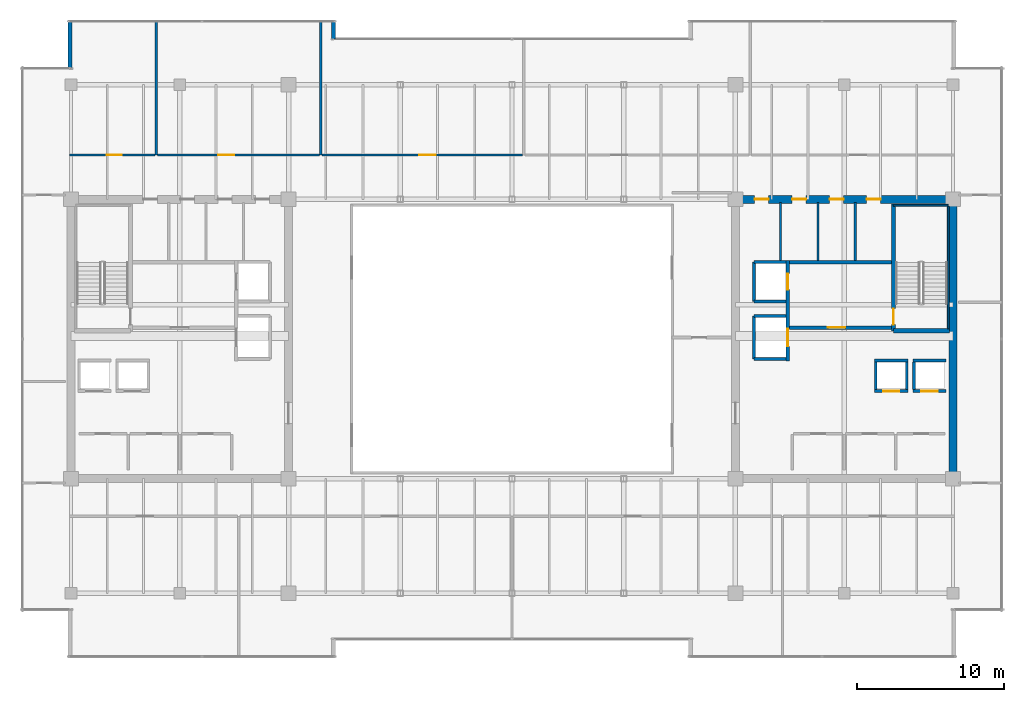
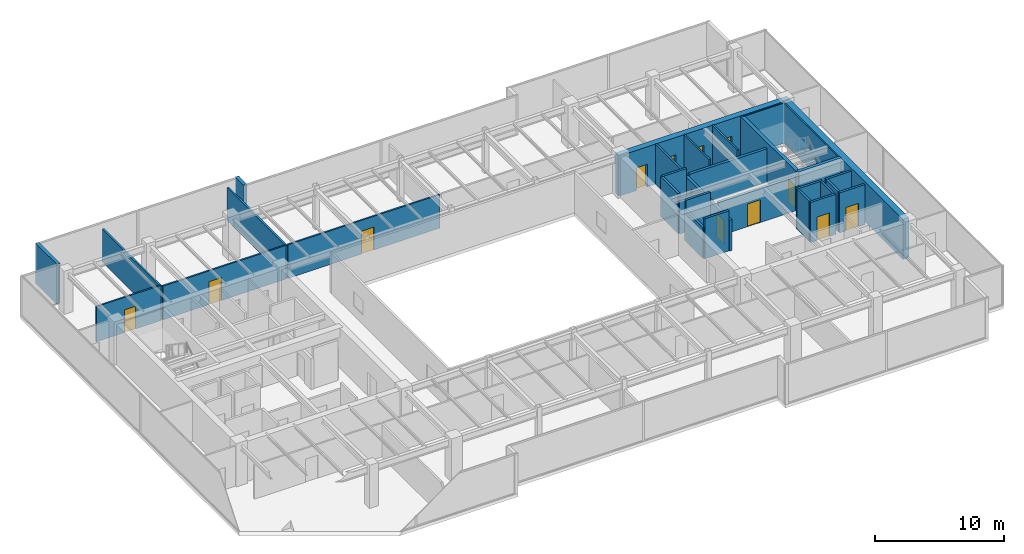
# One storey, part 30 of 33: 32 walls, 13 doors, 13 openings.
"""IFC4 building model written with IfcOpenShell, lengths in metres."""

from ifc_helpers import new_model, si_unit, direction, frame, frame_2d, origin, place, context, subcontext, project, spatial, rectangle, extrude, source, transform, mapped, material, layer, layer_set, type_object, type_shapes, element, fill, save


model = new_model("IFC4")

# Units and contexts
model_context = context("Model", 3, precision=1e-05, world=origin(), true_north=direction((0.0, 1.0)))
body_context = subcontext(model_context, "Body", "Model", "MODEL_VIEW")
ifc_project = project(units=[si_unit("LENGTHUNIT", "METRE"), si_unit("AREAUNIT", "SQUARE_METRE"), si_unit("VOLUMEUNIT", "CUBIC_METRE"), si_unit("PLANEANGLEUNIT", "RADIAN"), si_unit("MASSUNIT", "GRAM", prefix="KILO")], contexts=[model_context])

# Site, building, storey
site_placement = place(None, origin())
site = spatial("IfcSite", under=ifc_project, at=site_placement, CompositionType="ELEMENT")
building_placement = place(site_placement, origin())
building = spatial("IfcBuilding", under=site, at=building_placement, Name="Haelvirn Gate Laboratories", CompositionType="ELEMENT")
storey_placement = place(building_placement, frame((0.0, 0.0, 258.800048828125)))
storey = spatial("IfcBuildingStorey", under=building, at=storey_placement, Name="L62", CompositionType="ELEMENT", Elevation=258.800048828125)

# Walls
ifc_material_1 = material(Name="Thermally-broken bronze aluminium rainscreen & mineral wool", Category="aluminium")
ifc_layer_1 = layer(ifc_material_1, 0.280029296875, Name="EW-TERR-280")
ifc_layer_set_1 = layer_set([ifc_layer_1], Name="Thermally-broken bronze aluminium rainscreen & mineral wool")
wall_type_1 = type_object("IfcWallType", Name="EW-TERR-280", PredefinedType="STANDARD", material=ifc_layer_set_1)
wall_1_placement = place(storey_placement, frame((25.260009765625, 44.70703125, 0.0), z_axis=(0.0, 0.0, 1.0), x_axis=(0.0, 1.0, 0.0)))
element("IfcWall", 1, at=wall_1_placement, inside=storey, type_object=wall_type_1, Name="L62 Atrium Recess Bronze Return Wall 13", PredefinedType="STANDARD", context=body_context, shape_type="SweptSolid", body=[
    extrude(rectangle(XDim=1.29296875, YDim=0.280029296875, at=frame_2d((0.646484375, 0.0))), origin(), (0.0, 0.0, 1.0), 3.800048828125),
])
wall_2_placement = place(storey_placement, frame((7.340087890625, 46.0, 0.0), z_axis=(0.0, 0.0, 1.0), x_axis=(0.0, -1.0, 0.0)))
element("IfcWall", 2, at=wall_2_placement, inside=storey, type_object=wall_type_1, Name="L62 Atrium Recess Bronze Return Wall 15", PredefinedType="STANDARD", context=body_context, shape_type="SweptSolid", body=[
    extrude(rectangle(XDim=3.2880859375, YDim=0.280029296875, at=frame_2d((1.64404296875, 0.0))), origin(), (0.0, 0.0, 1.0), 3.800048828125),
])
ifc_material_2 = material(Name="Double-layer acoustic gypsum laboratory partition", Category="gypsum")
ifc_layer_2 = layer(ifc_material_2, 0.159912109375, Name="IW-ACOUST-160")
ifc_layer_set_2 = layer_set([ifc_layer_2], Name="Double-layer acoustic gypsum laboratory partition")
wall_type_2 = type_object("IfcWallType", Name="IW-ACOUST-160", PredefinedType="PARTITIONING", material=ifc_layer_set_2)
for number, where, z_axis, x_axis, name in (
    (3, (13.199951171875, 36.81005859375, 0.0), (0.0, 0.0, 1.0), (0.0, 1.0, 0.0), "L62 Interior Wall IW-L62-NDIV-01"),
    (4, (24.39990234375, 36.81005859375, 0.0), (0.0, 0.0, 1.0), (0.0, 1.0, 0.0), "L62 Interior Wall IW-L62-NDIV-02"),
):
    element("IfcWall", number, at=place(storey_placement, frame(where, z_axis=z_axis, x_axis=x_axis)), inside=storey, type_object=wall_type_2, Name=name, PredefinedType="PARTITIONING", context=body_context, shape_type="SweptSolid", body=[
        extrude(rectangle(XDim=9.079833984375, YDim=0.159912109375, at=frame_2d((4.5400390625, 0.0))), origin(), (0.0, 0.0, 1.0), 3.135009765625),
    ])

# Wall, opening, door
ifc_material_3 = material(Name="Acoustic mineral-wool gypsum board partition", Category="gypsum")
ifc_layer_3 = layer(ifc_material_3, 0.139892578125, Name="IW-PART-140")
ifc_layer_set_3 = layer_set([ifc_layer_3], Name="Acoustic mineral-wool gypsum board partition")
wall_type_3 = type_object("IfcWallType", Name="IW-PART-140", PredefinedType="PARTITIONING", material=ifc_layer_set_3)
wall_3_placement = place(storey_placement, frame((7.31005859375, 36.81005859375, 0.0), z_axis=(0.0, 0.0, 1.0), x_axis=(1.0, 0.0, 0.0)))
wall_3 = element("IfcWall", 5, at=wall_3_placement, inside=storey, type_object=wall_type_3, Name="L62 Interior Wall IW-L62-NCORR-01", PredefinedType="PARTITIONING", context=body_context, shape_type="SweptSolid", body=[
    extrude(rectangle(XDim=5.81005859375, YDim=0.139892578125, at=frame_2d((2.905029296875, 0.0))), origin(), (0.0, 0.0, 1.0), 3.3349609375),
])
opening_1_placement = place(wall_3_placement, frame((2.5283203125, 0.0, 0.0)))
opening_1 = element("IfcOpeningElement", 6, at=opening_1_placement, cuts=wall_3, Name="Opening D2", PredefinedType="OPENING", context=body_context, shape_type="SweptSolid", body=[
    extrude(rectangle(XDim=1.0, YDim=2.14990234375, at=frame_2d((0.5, 1.074951171875))), frame((0.0, 0.080078125, 0.0), z_axis=(0.0, -1.0, 0.0), x_axis=(1.0, 0.0, 0.0)), (0.0, 0.0, 1.0), 0.159912109375),
])
ifc_material_4 = material(Name="Acoustic solid-core timber suite door", Category="wood")
door_type_1 = type_object("IfcDoorType", Name="DR-INT-1000", OperationType="NOTDEFINED", PredefinedType="DOOR", material=ifc_material_4)
shared_shape_1 = source(origin(), body_context, "Body", "SweptSolid", [
    extrude(rectangle(XDim=1.0, YDim=2.14990234375, at=frame_2d((0.5, 1.074951171875))), frame((0.0, 0.02490234375, 0.0), z_axis=(0.0, -1.0, 0.0), x_axis=(1.0, 0.0, 0.0)), (0.0, 0.0, 1.0), 0.050048828125),
])
type_shapes(door_type_1, [shared_shape_1])
door_1_placement = place(opening_1_placement, origin())
door_1 = element("IfcDoor", 7, at=door_1_placement, inside=storey, type_object=door_type_1, Name="L62 Translational Data Office Door N1", OperationType="SINGLE_SWING_RIGHT", OverallHeight=2.14990234375, OverallWidth=1.0, PredefinedType="DOOR", context=body_context, shape_type="MappedRepresentation", body=[
    mapped(shared_shape_1, transform((0.0, 0.0, 0.0), scale=1.0)),
])
fill(opening_1, door_1)

wall_4_placement = place(storey_placement, frame((13.280029296875, 36.81005859375, 0.0), z_axis=(0.0, 0.0, 1.0), x_axis=(1.0, 0.0, 0.0)))
wall_4 = element("IfcWall", 8, at=wall_4_placement, inside=storey, type_object=wall_type_3, Name="L62 Interior Wall IW-L62-NCORR-02", PredefinedType="PARTITIONING", context=body_context, shape_type="SweptSolid", body=[
    extrude(rectangle(XDim=11.0400390625, YDim=0.139892578125, at=frame_2d((5.52001953125, 0.0))), origin(), (0.0, 0.0, 1.0), 3.197021484375),
])
opening_2_placement = place(wall_4_placement, frame((4.138427734375, 0.0, 0.0)))
opening_2 = element("IfcOpeningElement", 9, at=opening_2_placement, cuts=wall_4, Name="Opening D1", PredefinedType="OPENING", context=body_context, shape_type="SweptSolid", body=[
    extrude(rectangle(XDim=1.10009765625, YDim=2.179931640625, at=frame_2d((0.550048828125, 1.08984375))), frame((0.0, 0.080078125, 0.0), z_axis=(0.0, -1.0, 0.0), x_axis=(1.0, 0.0, 0.0)), (0.0, 0.0, 1.0), 0.159912109375),
])
ifc_material_5 = material(Name="Vision-panel acoustic solid-core timber lab door", Category="wood")
door_type_2 = type_object("IfcDoorType", Name="DR-LAB-1100", OperationType="NOTDEFINED", PredefinedType="DOOR", material=ifc_material_5)
shared_shape_2 = source(origin(), body_context, "Body", "SweptSolid", [
    extrude(rectangle(XDim=1.10009765625, YDim=2.179931640625, at=frame_2d((0.550048828125, 1.08984375))), frame((0.0, 0.02490234375, 0.0), z_axis=(0.0, -1.0, 0.0), x_axis=(1.0, 0.0, 0.0)), (0.0, 0.0, 1.0), 0.050048828125),
])
type_shapes(door_type_2, [shared_shape_2])
door_2_placement = place(opening_2_placement, origin())
door_2 = element("IfcDoor", 10, at=door_2_placement, inside=storey, type_object=door_type_2, Name="L62 Computational Write-Up Office Door N2", OperationType="SINGLE_SWING_LEFT", OverallHeight=2.179931640625, OverallWidth=1.10009765625, PredefinedType="DOOR", context=body_context, shape_type="MappedRepresentation", body=[
    mapped(shared_shape_2, transform((0.0, 0.0, 0.0), scale=1.0)),
])
fill(opening_2, door_2)

wall_5_placement = place(storey_placement, frame((24.47998046875, 36.81005859375, 0.0), z_axis=(0.0, 0.0, 1.0), x_axis=(1.0, 0.0, 0.0)))
wall_5 = element("IfcWall", 11, at=wall_5_placement, inside=storey, type_object=wall_type_3, Name="L62 Interior Wall IW-L62-NCORR-03", PredefinedType="PARTITIONING", context=body_context, shape_type="SweptSolid", body=[
    extrude(rectangle(XDim=13.64013671875, YDim=0.139892578125, at=frame_2d((6.820068359375, 0.0))), origin(), (0.0, 0.0, 1.0), 3.197021484375),
])
opening_3_placement = place(wall_5_placement, frame((6.625244140625, 0.0, 0.0)))
opening_3 = element("IfcOpeningElement", 12, at=opening_3_placement, cuts=wall_5, Name="Opening D1", PredefinedType="OPENING", context=body_context, shape_type="SweptSolid", body=[
    extrude(rectangle(XDim=1.10009765625, YDim=2.179931640625, at=frame_2d((0.550048828125, 1.08984375))), frame((0.0, 0.080078125, 0.0), z_axis=(0.0, -1.0, 0.0), x_axis=(1.0, 0.0, 0.0)), (0.0, 0.0, 1.0), 0.159912109375),
])
door_3_placement = place(opening_3_placement, origin())
door_3 = element("IfcDoor", 13, at=door_3_placement, inside=storey, type_object=door_type_2, Name="L62 Colloquium Conference Room Door N3", OperationType="SINGLE_SWING_RIGHT", OverallHeight=2.179931640625, OverallWidth=1.10009765625, PredefinedType="DOOR", context=body_context, shape_type="MappedRepresentation", body=[
    mapped(shared_shape_2, transform((0.0, 0.0, 0.0), scale=1.0)),
])
fill(opening_3, door_3)

# Walls
ifc_material_6 = material(Name="Cement-board restroom plumbing chase wall", Category="gypsum")
ifc_layer_4 = layer(ifc_material_6, 0.155029296875, Name="IW-PLUMB-160")
ifc_layer_set_4 = layer_set([ifc_layer_4], Name="Cement-board restroom plumbing chase wall")
wall_type_4 = type_object("IfcWallType", Name="IW-PLUMB-160", PredefinedType="PLUMBINGWALL", material=ifc_layer_set_4)
for number, where, z_axis, x_axis, name in (
    (14, (60.760009765625, 29.64990234375, 0.0), (0.0, 0.0, 1.0), (0.0, 1.0, 0.0), "L62 Interior Wall IW-L62-E-CDIV-1"),
    (15, (58.2099609375, 29.64990234375, 0.0), (0.0, 0.0, 1.0), (0.0, 1.0, 0.0), "L62 Interior Wall IW-L62-E-CDIV-2"),
    (16, (55.659912109375, 29.64990234375, 0.0), (0.0, 0.0, 1.0), (0.0, 1.0, 0.0), "L62 Interior Wall IW-L62-E-CDIV-3"),
):
    element("IfcWall", number, at=place(storey_placement, frame(where, z_axis=z_axis, x_axis=x_axis)), inside=storey, type_object=wall_type_4, Name=name, PredefinedType="PLUMBINGWALL", context=body_context, shape_type="SweptSolid", body=[
        extrude(rectangle(XDim=3.93017578125, YDim=0.155029296875, at=frame_2d((1.965087890625, 0.0))), origin(), (0.0, 0.0, 1.0), 3.800048828125),
    ])
ifc_material_7 = material(Name="Concrete C40/50", Category="concrete")
ifc_layer_5 = layer(ifc_material_7, 0.179931640625, Name="IW-SHAFT-180")
ifc_layer_set_5 = layer_set([ifc_layer_5], Name="Concrete C40/50")
wall_type_5 = type_object("IfcWallType", Name="IW-SHAFT-180", PredefinedType="SOLIDWALL", material=ifc_layer_set_5)
for number, where, z_axis, x_axis, name in (
    (17, (64.75, 20.85009765625, 0.0), (0.0, 0.0, 1.0), (0.0, 1.0, 0.0), "L62 Interior Wall IW-L62-PL11-SD"),
    (18, (62.14990234375, 20.85009765625, 0.0), (0.0, 0.0, 1.0), (0.0, 1.0, 0.0), "L62 Interior Wall IW-L62-PL12-SD"),
    (19, (64.25, 20.85009765625, 0.0), (0.0, 0.0, 1.0), (0.0, 1.0, 0.0), "L62 Interior Wall IW-L62-PL12-SDE"),
):
    element("IfcWall", number, at=place(storey_placement, frame(where, z_axis=z_axis, x_axis=x_axis)), inside=storey, type_object=wall_type_5, Name=name, PredefinedType="SOLIDWALL", context=body_context, shape_type="SweptSolid", body=[
        extrude(rectangle(XDim=1.89990234375, YDim=0.179931640625, at=frame_2d((0.949951171875, 0.0))), origin(), (0.0, 0.0, 1.0), 3.800048828125),
    ])

# Wall, opening, door
ifc_layer_6 = layer(ifc_material_7, 0.199951171875, Name="IW-SHAFT-200")
ifc_layer_set_6 = layer_set([ifc_layer_6], Name="Concrete C40/50")
wall_type_6 = type_object("IfcWallType", Name="IW-SHAFT-200", PredefinedType="SOLIDWALL", material=ifc_layer_set_6)
wall_6_placement = place(storey_placement, frame((64.669921875, 20.75, 0.0), z_axis=(0.0, 0.0, 1.0), x_axis=(1.0, 0.0, 0.0)))
wall_6 = element("IfcWall", 20, at=wall_6_placement, inside=storey, type_object=wall_type_6, Name="L62 Interior Wall IW-L62-PL11-FR", PredefinedType="SOLIDWALL", context=body_context, shape_type="SweptSolid", body=[
    extrude(rectangle(XDim=2.260009765625, YDim=0.199951171875, at=frame_2d((1.1298828125, 0.0))), origin(), (0.0, 0.0, 1.0), 3.800048828125),
])
opening_4_placement = place(wall_6_placement, frame((0.580078125, 0.0, 0.0)))
opening_4 = element("IfcOpeningElement", 21, at=opening_4_placement, cuts=wall_6, Name="Opening LD2", PredefinedType="OPENING", context=body_context, shape_type="SweptSolid", body=[
    extrude(rectangle(XDim=1.10009765625, YDim=2.219970703125, at=frame_2d((0.550048828125, 1.10986328125))), frame((0.0, 0.10986328125, 0.0), z_axis=(0.0, -1.0, 0.0), x_axis=(1.0, 0.0, 0.0)), (0.0, 0.0, 1.0), 0.219970703125),
])
ifc_material_8 = material(Name="Bronze stainless 316L sliding lift landing door")
door_type_3 = type_object("IfcDoorType", Name="DR-LD-1100", OperationType="NOTDEFINED", PredefinedType="USERDEFINED", material=ifc_material_8)
shared_shape_3 = source(origin(), body_context, "Body", "SweptSolid", [
    extrude(rectangle(XDim=1.10009765625, YDim=2.219970703125, at=frame_2d((0.550048828125, 1.10986328125))), frame((0.0, 0.02490234375, 0.0), z_axis=(0.0, -1.0, 0.0), x_axis=(1.0, 0.0, 0.0)), (0.0, 0.0, 1.0), 0.050048828125),
])
type_shapes(door_type_3, [shared_shape_3])
door_4_placement = place(opening_4_placement, origin())
door_4 = element("IfcDoor", 22, at=door_4_placement, inside=storey, type_object=door_type_3, Name="L62 Passenger Lift PL11 Landing Door", ObjectType="LANDING_DOOR", OperationType="SLIDING_TO_LEFT", OverallHeight=2.219970703125, OverallWidth=1.10009765625, PredefinedType="USERDEFINED", context=body_context, shape_type="MappedRepresentation", body=[
    mapped(shared_shape_3, transform((0.0, 0.0, 0.0), scale=1.0)),
])
fill(opening_4, door_4)

# Wall
wall_7_placement = place(storey_placement, frame((64.669921875, 22.85009765625, 0.0), z_axis=(0.0, 0.0, 1.0), x_axis=(1.0, 0.0, 0.0)))
element("IfcWall", 23, at=wall_7_placement, inside=storey, type_object=wall_type_6, Name="L62 Interior Wall IW-L62-PL11-BK", PredefinedType="SOLIDWALL", context=body_context, shape_type="SweptSolid", body=[
    extrude(rectangle(XDim=2.260009765625, YDim=0.199951171875, at=frame_2d((1.1298828125, 0.0))), origin(), (0.0, 0.0, 1.0), 3.800048828125),
])

# Wall, opening, door
wall_8_placement = place(storey_placement, frame((62.070068359375, 20.75, 0.0), z_axis=(0.0, 0.0, 1.0), x_axis=(1.0, 0.0, 0.0)))
wall_8 = element("IfcWall", 24, at=wall_8_placement, inside=storey, type_object=wall_type_6, Name="L62 Interior Wall IW-L62-PL12-FR", PredefinedType="SOLIDWALL", context=body_context, shape_type="SweptSolid", body=[
    extrude(rectangle(XDim=2.260009765625, YDim=0.199951171875, at=frame_2d((1.1298828125, 0.0))), origin(), (0.0, 0.0, 1.0), 3.800048828125),
])
opening_5_placement = place(wall_8_placement, frame((0.580078125, 0.0, 0.0)))
opening_5 = element("IfcOpeningElement", 25, at=opening_5_placement, cuts=wall_8, Name="Opening LD2", PredefinedType="OPENING", context=body_context, shape_type="SweptSolid", body=[
    extrude(rectangle(XDim=1.10009765625, YDim=2.219970703125, at=frame_2d((0.550048828125, 1.10986328125))), frame((0.0, 0.10986328125, 0.0), z_axis=(0.0, -1.0, 0.0), x_axis=(1.0, 0.0, 0.0)), (0.0, 0.0, 1.0), 0.219970703125),
])
door_5_placement = place(opening_5_placement, origin())
door_5 = element("IfcDoor", 26, at=door_5_placement, inside=storey, type_object=door_type_3, Name="L62 Passenger Lift PL12 Landing Door", ObjectType="LANDING_DOOR", OperationType="SLIDING_TO_RIGHT", OverallHeight=2.219970703125, OverallWidth=1.10009765625, PredefinedType="USERDEFINED", context=body_context, shape_type="MappedRepresentation", body=[
    mapped(shared_shape_3, transform((0.0, 0.0, 0.0), scale=1.0)),
])
fill(opening_5, door_5)

# Walls
wall_9_placement = place(storey_placement, frame((62.070068359375, 22.85009765625, 0.0), z_axis=(0.0, 0.0, 1.0), x_axis=(1.0, 0.0, 0.0)))
element("IfcWall", 27, at=wall_9_placement, inside=storey, type_object=wall_type_6, Name="L62 Interior Wall IW-L62-PL12-BK", PredefinedType="SOLIDWALL", context=body_context, shape_type="SweptSolid", body=[
    extrude(rectangle(XDim=2.260009765625, YDim=0.199951171875, at=frame_2d((1.1298828125, 0.0))), origin(), (0.0, 0.0, 1.0), 3.800048828125),
])
wall_10_placement = place(storey_placement, frame((53.85009765625, 26.85009765625, 0.0), z_axis=(0.0, 0.0, 1.0), x_axis=(0.0, 1.0, 0.0)))
element("IfcWall", 28, at=wall_10_placement, inside=storey, type_object=wall_type_6, Name="L62 Interior Wall IW-L62-FL2-BK", PredefinedType="SOLIDWALL", context=body_context, shape_type="SweptSolid", body=[
    extrude(rectangle(XDim=2.699951171875, YDim=0.199951171875, at=frame_2d((1.35009765625, 0.0))), origin(), (0.0, 0.0, 1.0), 3.800048828125),
])
wall_11_placement = place(storey_placement, frame((53.85009765625, 29.550048828125, 0.0), z_axis=(0.0, 0.0, 1.0), x_axis=(1.0, 0.0, 0.0)))
element("IfcWall", 29, at=wall_11_placement, inside=storey, type_object=wall_type_6, Name="L62 Interior Wall IW-L62-FL2-N", PredefinedType="SOLIDWALL", context=body_context, shape_type="SweptSolid", body=[
    extrude(rectangle(XDim=2.18994140625, YDim=0.199951171875, at=frame_2d((1.094970703125, 0.0))), origin(), (0.0, 0.0, 1.0), 3.800048828125),
])
wall_12_placement = place(storey_placement, frame((53.85009765625, 26.85009765625, 0.0), z_axis=(0.0, 0.0, 1.0), x_axis=(1.0, 0.0, 0.0)))
element("IfcWall", 30, at=wall_12_placement, inside=storey, type_object=wall_type_6, Name="L62 Interior Wall IW-L62-FL2-S", PredefinedType="SOLIDWALL", context=body_context, shape_type="SweptSolid", body=[
    extrude(rectangle(XDim=2.18994140625, YDim=0.199951171875, at=frame_2d((1.094970703125, 0.0))), origin(), (0.0, 0.0, 1.0), 3.197021484375),
])
wall_13_placement = place(storey_placement, frame((53.85009765625, 22.949951171875, 0.0), z_axis=(0.0, 0.0, 1.0), x_axis=(0.0, 1.0, 0.0)))
element("IfcWall", 31, at=wall_13_placement, inside=storey, type_object=wall_type_6, Name="L62 Interior Wall IW-L62-SL2-BK", PredefinedType="SOLIDWALL", context=body_context, shape_type="SweptSolid", body=[
    extrude(rectangle(XDim=2.900146484375, YDim=0.199951171875, at=frame_2d((1.4501953125, 0.0))), origin(), (0.0, 0.0, 1.0), 2.93505859375),
])
for number, where, z_axis, x_axis, name in (
    (32, (53.85009765625, 25.85009765625, 0.0), (0.0, 0.0, 1.0), (1.0, 0.0, 0.0), "L62 Interior Wall IW-L62-SL2-N"),
    (33, (53.85009765625, 22.949951171875, 0.0), (0.0, 0.0, 1.0), (1.0, 0.0, 0.0), "L62 Interior Wall IW-L62-SL2-S"),
):
    element("IfcWall", number, at=place(storey_placement, frame(where, z_axis=z_axis, x_axis=x_axis)), inside=storey, type_object=wall_type_6, Name=name, PredefinedType="SOLIDWALL", context=body_context, shape_type="SweptSolid", body=[
        extrude(rectangle(XDim=2.18994140625, YDim=0.199951171875, at=frame_2d((1.094970703125, 0.0))), origin(), (0.0, 0.0, 1.0), 3.800048828125),
    ])

# Wall, opening, door
ifc_layer_7 = layer(ifc_material_7, 0.239990234375, Name="IW-SHAFT-240")
ifc_layer_set_7 = layer_set([ifc_layer_7], Name="Concrete C40/50")
wall_type_7 = type_object("IfcWallType", Name="IW-SHAFT-240", PredefinedType="SOLIDWALL", material=ifc_layer_set_7)
wall_14_placement = place(storey_placement, frame((56.280029296875, 25.080078125, 0.0), z_axis=(0.0, 0.0, 1.0), x_axis=(1.0, 0.0, 0.0)))
wall_14 = element("IfcWall", 34, at=wall_14_placement, inside=storey, type_object=wall_type_7, Name="L62 Interior Wall IW-L62-E-FF-S", PredefinedType="SOLIDWALL", context=body_context, shape_type="SweptSolid", body=[
    extrude(rectangle(XDim=6.919921875, YDim=0.239990234375, at=frame_2d((3.4599609375, 0.0))), origin(), (0.0, 0.0, 1.0), 3.197021484375),
])
opening_6_placement = place(wall_14_placement, frame((2.60009765625, 0.0, 0.0)))
opening_6 = element("IfcOpeningElement", 35, at=opening_6_placement, cuts=wall_14, Name="Opening FD2", PredefinedType="OPENING", context=body_context, shape_type="SweptSolid", body=[
    extrude(rectangle(XDim=1.199951171875, YDim=2.159912109375, at=frame_2d((0.60009765625, 1.080078125))), frame((0.0, 0.1298828125, 0.0), z_axis=(0.0, -1.0, 0.0), x_axis=(1.0, 0.0, 0.0)), (0.0, 0.0, 1.0), 0.260009765625),
])
ifc_material_9 = material(Name="Fire-rated steel SM355 compartment door", Category="steel")
door_type_4 = type_object("IfcDoorType", Name="DR-FD-1200", OperationType="NOTDEFINED", PredefinedType="DOOR", material=ifc_material_9)
shared_shape_4 = source(origin(), body_context, "Body", "SweptSolid", [
    extrude(rectangle(XDim=1.199951171875, YDim=2.159912109375, at=frame_2d((0.60009765625, 1.080078125))), frame((0.0, 0.02490234375, 0.0), z_axis=(0.0, -1.0, 0.0), x_axis=(1.0, 0.0, 0.0)), (0.0, 0.0, 1.0), 0.050048828125),
])
type_shapes(door_type_4, [shared_shape_4])
door_6_placement = place(opening_6_placement, origin())
door_6 = element("IfcDoor", 36, at=door_6_placement, inside=storey, type_object=door_type_4, Name="L62 East Firefighting Lobby Door", OperationType="SINGLE_SWING_LEFT", OverallHeight=2.159912109375, OverallWidth=1.199951171875, PredefinedType="DOOR", context=body_context, shape_type="MappedRepresentation", body=[
    mapped(shared_shape_4, transform((0.0, 0.0, 0.0), scale=1.0)),
])
fill(opening_6, door_6)

# Wall
wall_15_placement = place(storey_placement, frame((56.280029296875, 29.52001953125, 0.0), z_axis=(0.0, 0.0, 1.0), x_axis=(1.0, 0.0, 0.0)))
element("IfcWall", 37, at=wall_15_placement, inside=storey, type_object=wall_type_7, Name="L62 Interior Wall IW-L62-E-FF-N", PredefinedType="SOLIDWALL", context=body_context, shape_type="SweptSolid", body=[
    extrude(rectangle(XDim=6.919921875, YDim=0.239990234375, at=frame_2d((3.4599609375, 0.0))), origin(), (0.0, 0.0, 1.0), 3.197021484375),
])

# Wall, openings, doors
wall_16_placement = place(storey_placement, frame((56.159912109375, 22.800048828125, 0.0), z_axis=(0.0, 0.0, 1.0), x_axis=(0.0, 1.0, 0.0)))
wall_16 = element("IfcWall", 38, at=wall_16_placement, inside=storey, type_object=wall_type_7, Name="L62 Interior Wall IW-L62-E-FF-E", PredefinedType="SOLIDWALL", context=body_context, shape_type="SweptSolid", body=[
    extrude(rectangle(XDim=6.849853515625, YDim=0.239990234375, at=frame_2d((3.4248046875, 0.0))), origin(), (0.0, 0.0, 1.0), 2.93505859375),
])
opening_7_placement = place(wall_16_placement, frame((4.85009765625, 0.0, 0.0)))
opening_7 = element("IfcOpeningElement", 39, at=opening_7_placement, cuts=wall_16, Name="Opening LD2", PredefinedType="OPENING", context=body_context, shape_type="SweptSolid", body=[
    extrude(rectangle(XDim=1.10009765625, YDim=2.219970703125, at=frame_2d((0.550048828125, 1.10986328125))), frame((0.0, 0.1298828125, 0.0), z_axis=(0.0, -1.0, 0.0), x_axis=(1.0, 0.0, 0.0)), (0.0, 0.0, 1.0), 0.260009765625),
])
opening_8_placement = place(wall_16_placement, frame((1.0, 0.0, 0.0)))
opening_8 = element("IfcOpeningElement", 40, at=opening_8_placement, cuts=wall_16, Name="Opening LD1", PredefinedType="OPENING", context=body_context, shape_type="SweptSolid", body=[
    extrude(rectangle(XDim=1.199951171875, YDim=2.219970703125, at=frame_2d((0.60009765625, 1.10986328125))), frame((0.0, 0.1298828125, 0.0), z_axis=(0.0, -1.0, 0.0), x_axis=(1.0, 0.0, 0.0)), (0.0, 0.0, 1.0), 0.260009765625),
])
door_7_placement = place(opening_7_placement, origin())
door_7 = element("IfcDoor", 41, at=door_7_placement, inside=storey, type_object=door_type_3, Name="L62 Firefighting Lift FL2 Landing Door", ObjectType="LANDING_DOOR", OperationType="SLIDING_TO_RIGHT", OverallHeight=2.219970703125, OverallWidth=1.10009765625, PredefinedType="USERDEFINED", context=body_context, shape_type="MappedRepresentation", body=[
    mapped(shared_shape_3, transform((0.0, 0.0, 0.0), scale=1.0)),
])
fill(opening_7, door_7)
ifc_material_10 = material(Name="Stainless steel 316L sliding goods landing door", Category="steel")
door_type_5 = type_object("IfcDoorType", Name="DR-LD-1200", OperationType="NOTDEFINED", PredefinedType="USERDEFINED", material=ifc_material_10)
shared_shape_5 = source(origin(), body_context, "Body", "SweptSolid", [
    extrude(rectangle(XDim=1.199951171875, YDim=2.219970703125, at=frame_2d((0.60009765625, 1.10986328125))), frame((0.0, 0.02490234375, 0.0), z_axis=(0.0, -1.0, 0.0), x_axis=(1.0, 0.0, 0.0)), (0.0, 0.0, 1.0), 0.050048828125),
])
type_shapes(door_type_5, [shared_shape_5])
door_8_placement = place(opening_8_placement, origin())
door_8 = element("IfcDoor", 42, at=door_8_placement, inside=storey, type_object=door_type_5, Name="L62 Service Lift SL2 Landing Door", ObjectType="LANDING_DOOR", OperationType="SLIDING_TO_LEFT", OverallHeight=2.219970703125, OverallWidth=1.199951171875, PredefinedType="USERDEFINED", context=body_context, shape_type="MappedRepresentation", body=[
    mapped(shared_shape_5, transform((0.0, 0.0, 0.0), scale=1.0)),
])
fill(opening_8, door_8)

ifc_material_11 = material(Name="Concrete C50/60", Category="concrete")
ifc_layer_8 = layer(ifc_material_11, 0.550048828125, Name="SW-CORE-550")
ifc_layer_set_8 = layer_set([ifc_layer_8], Name="Concrete C50/60")
wall_type_8 = type_object("IfcWallType", Name="SW-CORE-550", PredefinedType="SHEAR", material=ifc_layer_set_8)
wall_17_placement = place(storey_placement, frame((52.324951171875, 33.800048828125, 0.0), z_axis=(0.0, 0.0, 1.0), x_axis=(1.0, 0.0, 0.0)))
wall_17 = element("IfcWall", 43, at=wall_17_placement, inside=storey, type_object=wall_type_8, Name="L62 E Core Shear Wall N", PredefinedType="SHEAR", context=body_context, shape_type="SweptSolid", body=[
    extrude(rectangle(XDim=15.35009765625, YDim=0.550048828125, at=frame_2d((7.675048828125, 0.0))), origin(), (0.0, 0.0, 1.0), 3.800048828125),
])
opening_9_placement = place(wall_17_placement, frame((9.199951171875, 0.0, 0.0)))
opening_9 = element("IfcOpeningElement", 44, at=opening_9_placement, cuts=wall_17, Name="Opening FD4", PredefinedType="OPENING", context=body_context, shape_type="SweptSolid", body=[
    extrude(rectangle(XDim=0.949951171875, YDim=2.14990234375, at=frame_2d((0.47509765625, 1.074951171875))), frame((0.0, 0.28515625, 0.0), z_axis=(0.0, -1.0, 0.0), x_axis=(1.0, 0.0, 0.0)), (0.0, 0.0, 1.0), 0.570068359375),
])
opening_10_placement = place(wall_17_placement, frame((6.68505859375, 0.0, 0.0)))
opening_10 = element("IfcOpeningElement", 45, at=opening_10_placement, cuts=wall_17, Name="Opening FD4", PredefinedType="OPENING", context=body_context, shape_type="SweptSolid", body=[
    extrude(rectangle(XDim=0.949951171875, YDim=2.14990234375, at=frame_2d((0.47509765625, 1.074951171875))), frame((0.0, 0.28515625, 0.0), z_axis=(0.0, -1.0, 0.0), x_axis=(1.0, 0.0, 0.0)), (0.0, 0.0, 1.0), 0.570068359375),
])
opening_11_placement = place(wall_17_placement, frame((4.135009765625, 0.0, 0.0)))
opening_11 = element("IfcOpeningElement", 46, at=opening_11_placement, cuts=wall_17, Name="Opening FD4", PredefinedType="OPENING", context=body_context, shape_type="SweptSolid", body=[
    extrude(rectangle(XDim=0.949951171875, YDim=2.14990234375, at=frame_2d((0.47509765625, 1.074951171875))), frame((0.0, 0.28515625, 0.0), z_axis=(0.0, -1.0, 0.0), x_axis=(1.0, 0.0, 0.0)), (0.0, 0.0, 1.0), 0.570068359375),
])
opening_12_placement = place(wall_17_placement, frame((1.5849609375, 0.0, 0.0)))
opening_12 = element("IfcOpeningElement", 47, at=opening_12_placement, cuts=wall_17, Name="Opening FD4", PredefinedType="OPENING", context=body_context, shape_type="SweptSolid", body=[
    extrude(rectangle(XDim=0.949951171875, YDim=2.14990234375, at=frame_2d((0.47509765625, 1.074951171875))), frame((0.0, 0.28515625, 0.0), z_axis=(0.0, -1.0, 0.0), x_axis=(1.0, 0.0, 0.0)), (0.0, 0.0, 1.0), 0.570068359375),
])
ifc_material_12 = material(Name="Fire-rated steel SM355 core service door", Category="steel")
door_type_6 = type_object("IfcDoorType", Name="DR-FD-950", OperationType="NOTDEFINED", PredefinedType="DOOR", material=ifc_material_12)
shared_shape_6 = source(origin(), body_context, "Body", "SweptSolid", [
    extrude(rectangle(XDim=0.949951171875, YDim=2.14990234375, at=frame_2d((0.47509765625, 1.074951171875))), frame((0.0, 0.02490234375, 0.0), z_axis=(0.0, -1.0, 0.0), x_axis=(1.0, 0.0, 0.0)), (0.0, 0.0, 1.0), 0.050048828125),
])
type_shapes(door_type_6, [shared_shape_6])
door_9_placement = place(opening_9_placement, origin())
door_9 = element("IfcDoor", 48, at=door_9_placement, inside=storey, type_object=door_type_6, Name="L62 Male Restroom Fire Door", OperationType="SINGLE_SWING_LEFT", OverallHeight=2.14990234375, OverallWidth=0.949951171875, PredefinedType="DOOR", context=body_context, shape_type="MappedRepresentation", body=[
    mapped(shared_shape_6, transform((0.0, 0.0, 0.0), scale=1.0)),
])
fill(opening_9, door_9)
door_10_placement = place(opening_10_placement, origin())
door_10 = element("IfcDoor", 49, at=door_10_placement, inside=storey, type_object=door_type_6, Name="L62 Female Restroom Fire Door", OperationType="SINGLE_SWING_RIGHT", OverallHeight=2.14990234375, OverallWidth=0.949951171875, PredefinedType="DOOR", context=body_context, shape_type="MappedRepresentation", body=[
    mapped(shared_shape_6, transform((0.0, 0.0, 0.0), scale=1.0)),
])
fill(opening_10, door_10)
door_11_placement = place(opening_11_placement, origin())
door_11 = element("IfcDoor", 50, at=door_11_placement, inside=storey, type_object=door_type_6, Name="L62 Accessible Restroom Fire Door", OperationType="SINGLE_SWING_LEFT", OverallHeight=2.14990234375, OverallWidth=0.949951171875, PredefinedType="DOOR", context=body_context, shape_type="MappedRepresentation", body=[
    mapped(shared_shape_6, transform((0.0, 0.0, 0.0), scale=1.0)),
])
fill(opening_11, door_11)
door_12_placement = place(opening_12_placement, origin())
door_12 = element("IfcDoor", 51, at=door_12_placement, inside=storey, type_object=door_type_6, Name="L62 Decontamination Shower Washroom Fire Door", OperationType="SINGLE_SWING_RIGHT", OverallHeight=2.14990234375, OverallWidth=0.949951171875, PredefinedType="DOOR", context=body_context, shape_type="MappedRepresentation", body=[
    mapped(shared_shape_6, transform((0.0, 0.0, 0.0), scale=1.0)),
])
fill(opening_12, door_12)

# Walls
wall_18_placement = place(storey_placement, frame((67.39990234375, 15.074951171875, 0.0), z_axis=(0.0, 0.0, 1.0), x_axis=(0.0, 1.0, 0.0)))
element("IfcWall", 52, at=wall_18_placement, inside=storey, type_object=wall_type_8, Name="L62 E Core Shear Wall E", PredefinedType="SHEAR", context=body_context, shape_type="SweptSolid", body=[
    extrude(rectangle(XDim=18.449951171875, YDim=0.550048828125, at=frame_2d((9.22509765625, 0.0))), origin(), (0.0, 0.0, 1.0), 3.800048828125),
])
ifc_layer_9 = layer(ifc_material_11, 0.1201171875, Name="SW-LINER-120")
ifc_layer_set_9 = layer_set([ifc_layer_9], Name="Concrete C50/60")
wall_type_9 = type_object("IfcWallType", Name="SW-LINER-120", PredefinedType="SOLIDWALL", material=ifc_layer_set_9)
wall_19_placement = place(storey_placement, frame((63.35009765625, 33.39990234375, 0.0), z_axis=(0.0, 0.0, 1.0), x_axis=(1.0, 0.0, 0.0)))
element("IfcWall", 53, at=wall_19_placement, inside=storey, type_object=wall_type_9, Name="L62 E Core Stair Shaft Liner Wall N", PredefinedType="SOLIDWALL", context=body_context, shape_type="SweptSolid", body=[
    extrude(rectangle(XDim=3.719970703125, YDim=0.1201171875, at=frame_2d((1.85986328125, 0.0))), origin(), (0.0, 0.0, 1.0), 3.800048828125),
])
wall_20_placement = place(storey_placement, frame((67.070068359375, 25.0, 0.0), z_axis=(0.0, 0.0, 1.0), x_axis=(0.0, 1.0, 0.0)))
element("IfcWall", 54, at=wall_20_placement, inside=storey, type_object=wall_type_9, Name="L62 E Core Stair Shaft Liner Wall OUT", PredefinedType="SOLIDWALL", context=body_context, shape_type="SweptSolid", body=[
    extrude(rectangle(XDim=8.320068359375, YDim=0.1201171875, at=frame_2d((4.16015625, 0.0))), origin(), (0.0, 0.0, 1.0), 3.800048828125),
])

# Wall, opening, door
ifc_layer_10 = layer(ifc_material_11, 0.300048828125, Name="SW-STAIR-300")
ifc_layer_set_10 = layer_set([ifc_layer_10], Name="Concrete C50/60")
wall_type_10 = type_object("IfcWallType", Name="SW-STAIR-300", PredefinedType="SHEAR", material=ifc_layer_set_10)
wall_21_placement = place(storey_placement, frame((63.35009765625, 24.85009765625, 0.0), z_axis=(0.0, 0.0, 1.0), x_axis=(0.0, 1.0, 0.0)))
wall_21 = element("IfcWall", 55, at=wall_21_placement, inside=storey, type_object=wall_type_10, Name="L62 E Core Stair Shaft Structural Wall IN", PredefinedType="SHEAR", context=body_context, shape_type="SweptSolid", body=[
    extrude(rectangle(XDim=8.6298828125, YDim=0.300048828125, at=frame_2d((4.31494140625, 0.0))), origin(), (0.0, 0.0, 1.0), 3.800048828125),
])
opening_13_placement = place(wall_21_placement, frame((0.419921875, 0.0, 0.0)))
opening_13 = element("IfcOpeningElement", 56, at=opening_13_placement, cuts=wall_21, Name="Opening FD3", PredefinedType="OPENING", context=body_context, shape_type="SweptSolid", body=[
    extrude(rectangle(XDim=1.10009765625, YDim=2.14990234375, at=frame_2d((0.550048828125, 1.074951171875))), frame((0.0, 0.16015625, 0.0), z_axis=(0.0, -1.0, 0.0), x_axis=(1.0, 0.0, 0.0)), (0.0, 0.0, 1.0), 0.320068359375),
])
ifc_material_13 = material(Name="Fire-rated steel SM355 escape stair door", Category="steel")
door_type_7 = type_object("IfcDoorType", Name="DR-FD-1100", OperationType="NOTDEFINED", PredefinedType="DOOR", material=ifc_material_13)
shared_shape_7 = source(origin(), body_context, "Body", "SweptSolid", [
    extrude(rectangle(XDim=1.10009765625, YDim=2.14990234375, at=frame_2d((0.550048828125, 1.074951171875))), frame((0.0, 0.02490234375, 0.0), z_axis=(0.0, -1.0, 0.0), x_axis=(1.0, 0.0, 0.0)), (0.0, 0.0, 1.0), 0.050048828125),
])
type_shapes(door_type_7, [shared_shape_7])
door_13_placement = place(opening_13_placement, origin())
door_13 = element("IfcDoor", 57, at=door_13_placement, inside=storey, type_object=door_type_7, Name="L62 Escape Stair ST2 Fire Door", OperationType="SINGLE_SWING_RIGHT", OverallHeight=2.14990234375, OverallWidth=1.10009765625, PredefinedType="DOOR", context=body_context, shape_type="MappedRepresentation", body=[
    mapped(shared_shape_7, transform((0.0, 0.0, 0.0), scale=1.0)),
])
fill(opening_13, door_13)

# Wall
wall_22_placement = place(storey_placement, frame((63.35009765625, 24.85009765625, 0.0), z_axis=(0.0, 0.0, 1.0), x_axis=(1.0, 0.0, 0.0)))
element("IfcWall", 58, at=wall_22_placement, inside=storey, type_object=wall_type_10, Name="L62 E Core Stair Shaft Structural Wall S", PredefinedType="SHEAR", context=body_context, shape_type="SweptSolid", body=[
    extrude(rectangle(XDim=3.7998046875, YDim=0.300048828125, at=frame_2d((1.89990234375, 0.0))), origin(), (0.0, 0.0, 1.0), 3.800048828125),
])

save(model, "model.ifc")
